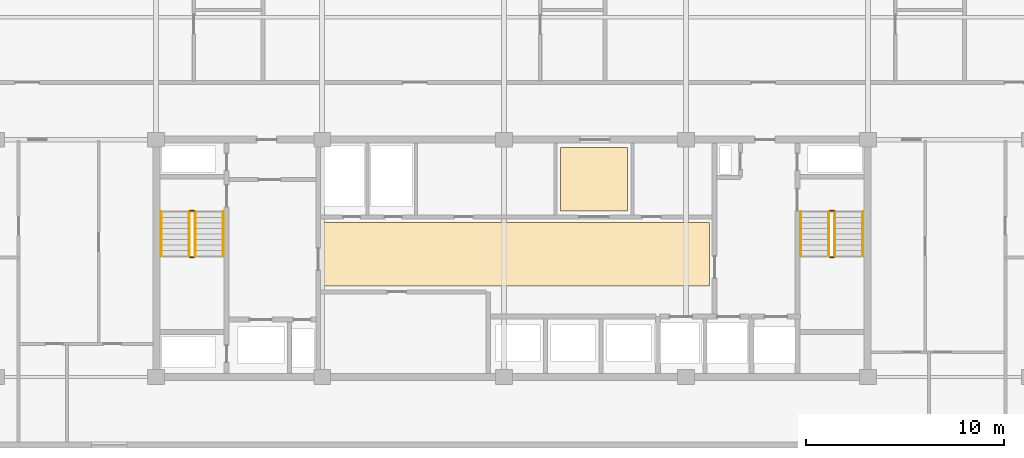
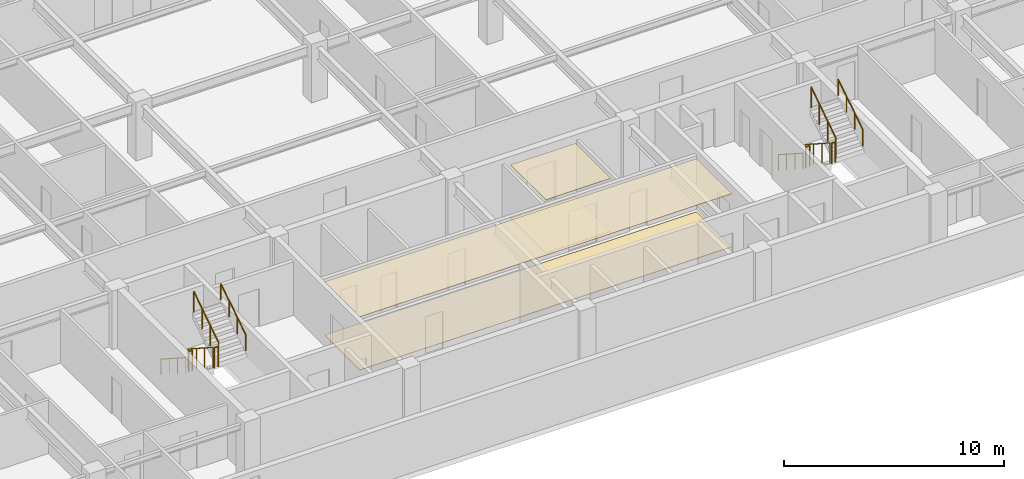
# One storey, part 31 of 32: 12 railings, 4 coverings.
"""IFC4 building model written with IfcOpenShell, lengths in metres."""

from ifc_helpers import new_model, si_unit, direction, frame, origin, origin_2d, place, context, subcontext, project, spatial, polyline, circle, outline, extrude, material, layer, layer_set, type_object, element, save


model = new_model("IFC4")

# Units and contexts
model_context = context("Model", 3, precision=1e-05, world=origin(), true_north=direction((0.0, 1.0)))
body_context = subcontext(model_context, "Body", "Model", "MODEL_VIEW")
ifc_project = project(units=[si_unit("LENGTHUNIT", "METRE"), si_unit("AREAUNIT", "SQUARE_METRE"), si_unit("VOLUMEUNIT", "CUBIC_METRE"), si_unit("PLANEANGLEUNIT", "RADIAN"), si_unit("MASSUNIT", "GRAM", prefix="KILO")], contexts=[model_context])

# Site, building, storey
site_placement = place(None, origin())
site = spatial("IfcSite", under=ifc_project, at=site_placement, CompositionType="ELEMENT")
building_placement = place(site_placement, origin())
building = spatial("IfcBuilding", under=site, at=building_placement, Name="Korimba Cascade Residences", CompositionType="ELEMENT")
storey_placement = place(building_placement, frame((0.0, 0.0, 178.35009765625)))
storey = spatial("IfcBuildingStorey", under=building, at=storey_placement, Name="L51", CompositionType="ELEMENT", Elevation=178.35009765625)

# Coverings
ifc_material_1 = material(Name="Perforated Acoustic Gypsum Ceiling", Category="gypsum")
ifc_layer_1 = layer(ifc_material_1, 0.02490234375)
ifc_layer_set_1 = layer_set([ifc_layer_1], Name="Perforated Acoustic Gypsum Ceiling")
covering_type_1 = type_object("IfcCoveringType", Name="COV-CLG-AC", PredefinedType="CEILING", material=ifc_layer_set_1)
covering_1_placement = place(storey_placement, frame((0.0, 0.0, 2.94482421875)))
element("IfcCovering", 1, at=covering_1_placement, inside=storey, type_object=covering_type_1, Name="L51 Suspended Acoustic Ceiling L51-LL1", PredefinedType="CEILING", context=body_context, shape_type="SweptSolid", body=[
    extrude(outline(polyline([(84.60009765625, 59.800048828125), (104.10009765625, 59.800048828125), (104.10009765625, 63.0), (84.60009765625, 63.0), (84.60009765625, 59.800048828125)])), origin(), (0.0, 0.0, 1.0), 0.025146484375),
])
covering_2_placement = place(storey_placement, frame((0.0, 0.0, 2.94482421875)))
element("IfcCovering", 2, at=covering_2_placement, inside=storey, type_object=covering_type_1, Name="L51 Suspended Acoustic Ceiling L51-LT1", PredefinedType="CEILING", context=body_context, shape_type="SweptSolid", body=[
    extrude(outline(polyline([(96.550048828125, 63.60009765625), (99.949951171875, 63.60009765625), (99.949951171875, 66.800048828125), (96.550048828125, 66.800048828125), (96.550048828125, 63.60009765625)])), origin(), (0.0, 0.0, 1.0), 0.025146484375),
])
ifc_material_2 = material(Name="Honed Travertine Stone Flooring", Category="masonry")
ifc_layer_2 = layer(ifc_material_2, 0.02490234375)
ifc_layer_set_2 = layer_set([ifc_layer_2], Name="Honed Travertine Stone Flooring")
covering_type_2 = type_object("IfcCoveringType", Name="COV-FLR-STN", PredefinedType="FLOORING", material=ifc_layer_set_2)
covering_3_placement = place(storey_placement, origin())
element("IfcCovering", 3, at=covering_3_placement, inside=storey, type_object=covering_type_2, Name="L51 Honed Travertine Stone Flooring L51-LL1", PredefinedType="FLOORING", context=body_context, shape_type="SweptSolid", body=[
    extrude(outline(polyline([(84.60009765625, 59.800048828125), (104.10009765625, 59.800048828125), (104.10009765625, 63.0), (84.60009765625, 63.0), (84.60009765625, 59.800048828125)])), origin(), (0.0, 0.0, 1.0), 0.02490234375),
])
covering_4_placement = place(storey_placement, origin())
element("IfcCovering", 4, at=covering_4_placement, inside=storey, type_object=covering_type_2, Name="L51 Honed Travertine Stone Flooring L51-LT1", PredefinedType="FLOORING", context=body_context, shape_type="SweptSolid", body=[
    extrude(outline(polyline([(96.550048828125, 63.60009765625), (99.949951171875, 63.60009765625), (99.949951171875, 66.800048828125), (96.550048828125, 66.800048828125), (96.550048828125, 63.60009765625)])), origin(), (0.0, 0.0, 1.0), 0.02490234375),
])

# Railings
ifc_material_3 = material(Name="Painted Steel Stairwell Guardrail", Category="steel")
railing_type_1 = type_object("IfcRailingType", Name="RLG-ST-GD1150", PredefinedType="GUARDRAIL", material=ifc_material_3)
railing_1_placement = place(storey_placement, frame((77.77001953125, 63.550048828125, 0.180419921875)))
element("IfcRailing", 5, at=railing_1_placement, inside=storey, type_object=railing_type_1, Name="L51 ST-W1 stair guard 1", PredefinedType="GUARDRAIL", context=body_context, shape_type="SweptSolid", body=[
    extrude(circle(Radius=0.02392578125, at=origin_2d()), frame((0.0, 0.0, 1.1259765625), z_axis=(0.0, -0.840394893359, 0.541974559565), x_axis=(1.0, 0.0, 0.0)), (0.0, 0.0, 1.0), 2.665283203125),
    extrude(circle(Radius=0.02099609375, at=origin_2d()), origin(), (0.0, 0.0, 1.0), 1.101806640625),
    extrude(circle(Radius=0.02099609375, at=origin_2d()), frame((0.0, -0.74658203125, 0.4814453125)), (0.0, 0.0, 1.0), 1.101806640625),
    extrude(circle(Radius=0.02099609375, at=origin_2d()), frame((0.0, -1.493408203125, 0.963134765625)), (0.0, 0.0, 1.0), 1.101806640625),
    extrude(circle(Radius=0.02099609375, at=origin_2d()), frame((0.0, -2.239990234375, 1.444580078125)), (0.0, 0.0, 1.0), 1.101806640625),
])
railing_2_placement = place(storey_placement, frame((77.820068359375, 61.260009765625, 1.625)))
element("IfcRailing", 6, at=railing_2_placement, inside=storey, type_object=railing_type_1, Name="L51 ST-W1 stair guard 2", PredefinedType="GUARDRAIL", context=body_context, shape_type="SweptSolid", body=[
    extrude(circle(Radius=0.02392578125, at=origin_2d()), frame((0.0, 0.0, 1.1259765625), z_axis=(1.0, 0.0, 0.0), x_axis=(0.0, 1.0, 0.0)), (0.0, 0.0, 1.0), 0.199951171875),
    extrude(circle(Radius=0.02099609375, at=origin_2d()), origin(), (0.0, 0.0, 1.0), 1.101806640625),
    extrude(circle(Radius=0.02099609375, at=origin_2d()), frame((0.199951171875, 0.0, 0.0)), (0.0, 0.0, 1.0), 1.101806640625),
])
railing_3_placement = place(storey_placement, frame((78.070068359375, 61.31005859375, 1.805419921875)))
element("IfcRailing", 7, at=railing_3_placement, inside=storey, type_object=railing_type_1, Name="L51 ST-W1 stair guard 3", PredefinedType="GUARDRAIL", context=body_context, shape_type="SweptSolid", body=[
    extrude(circle(Radius=0.02392578125, at=origin_2d()), frame((0.0, 0.0, 1.1259765625), z_axis=(0.0, 0.840394893359, 0.541974559565), x_axis=(-1.0, 0.0, 0.0)), (0.0, 0.0, 1.0), 2.665283203125),
    extrude(circle(Radius=0.02099609375, at=origin_2d()), origin(), (0.0, 0.0, 1.0), 1.101806640625),
    extrude(circle(Radius=0.02099609375, at=origin_2d()), frame((0.0, 0.74658203125, 0.4814453125)), (0.0, 0.0, 1.0), 1.101806640625),
    extrude(circle(Radius=0.02099609375, at=origin_2d()), frame((0.0, 1.493408203125, 0.963134765625)), (0.0, 0.0, 1.0), 1.101806640625),
    extrude(circle(Radius=0.02099609375, at=origin_2d()), frame((0.0, 2.239990234375, 1.444580078125)), (0.0, 0.0, 1.0), 1.101806640625),
])
railing_4_placement = place(storey_placement, frame((77.820068359375, 63.60009765625, 0.0)))
element("IfcRailing", 8, at=railing_4_placement, inside=storey, type_object=railing_type_1, Name="L51 ST-W1 stair guard 4", PredefinedType="GUARDRAIL", context=body_context, shape_type="SweptSolid", body=[
    extrude(circle(Radius=0.02392578125, at=origin_2d()), frame((0.0, 0.0, 1.1259765625), z_axis=(1.0, 0.0, 0.0), x_axis=(0.0, 1.0, 0.0)), (0.0, 0.0, 1.0), 0.199951171875),
    extrude(circle(Radius=0.02099609375, at=origin_2d()), origin(), (0.0, 0.0, 1.0), 1.101806640625),
    extrude(circle(Radius=0.02099609375, at=origin_2d()), frame((0.199951171875, 0.0, 0.0)), (0.0, 0.0, 1.0), 1.101806640625),
])
railing_5_placement = place(storey_placement, frame((110.1298828125, 63.550048828125, 0.180419921875)))
element("IfcRailing", 9, at=railing_5_placement, inside=storey, type_object=railing_type_1, Name="L51 ST-W2 stair guard 1", PredefinedType="GUARDRAIL", context=body_context, shape_type="SweptSolid", body=[
    extrude(circle(Radius=0.02392578125, at=origin_2d()), frame((0.0, 0.0, 1.1259765625), z_axis=(0.0, -0.840394893359, 0.541974559565), x_axis=(1.0, 0.0, 0.0)), (0.0, 0.0, 1.0), 2.665283203125),
    extrude(circle(Radius=0.02099609375, at=origin_2d()), origin(), (0.0, 0.0, 1.0), 1.101806640625),
    extrude(circle(Radius=0.02099609375, at=origin_2d()), frame((0.0, -0.74658203125, 0.4814453125)), (0.0, 0.0, 1.0), 1.101806640625),
    extrude(circle(Radius=0.02099609375, at=origin_2d()), frame((0.0, -1.493408203125, 0.963134765625)), (0.0, 0.0, 1.0), 1.101806640625),
    extrude(circle(Radius=0.02099609375, at=origin_2d()), frame((0.0, -2.239990234375, 1.444580078125)), (0.0, 0.0, 1.0), 1.101806640625),
])
railing_6_placement = place(storey_placement, frame((110.179931640625, 61.260009765625, 1.625)))
element("IfcRailing", 10, at=railing_6_placement, inside=storey, type_object=railing_type_1, Name="L51 ST-W2 stair guard 2", PredefinedType="GUARDRAIL", context=body_context, shape_type="SweptSolid", body=[
    extrude(circle(Radius=0.02392578125, at=origin_2d()), frame((0.0, 0.0, 1.1259765625), z_axis=(1.0, 0.0, 0.0), x_axis=(0.0, 1.0, 0.0)), (0.0, 0.0, 1.0), 0.199951171875),
    extrude(circle(Radius=0.02099609375, at=origin_2d()), origin(), (0.0, 0.0, 1.0), 1.101806640625),
    extrude(circle(Radius=0.02099609375, at=origin_2d()), frame((0.199951171875, 0.0, 0.0)), (0.0, 0.0, 1.0), 1.101806640625),
])
railing_7_placement = place(storey_placement, frame((110.429931640625, 61.31005859375, 1.805419921875)))
element("IfcRailing", 11, at=railing_7_placement, inside=storey, type_object=railing_type_1, Name="L51 ST-W2 stair guard 3", PredefinedType="GUARDRAIL", context=body_context, shape_type="SweptSolid", body=[
    extrude(circle(Radius=0.02392578125, at=origin_2d()), frame((0.0, 0.0, 1.1259765625), z_axis=(0.0, 0.840394893359, 0.541974559565), x_axis=(-1.0, 0.0, 0.0)), (0.0, 0.0, 1.0), 2.665283203125),
    extrude(circle(Radius=0.02099609375, at=origin_2d()), origin(), (0.0, 0.0, 1.0), 1.101806640625),
    extrude(circle(Radius=0.02099609375, at=origin_2d()), frame((0.0, 0.74658203125, 0.4814453125)), (0.0, 0.0, 1.0), 1.101806640625),
    extrude(circle(Radius=0.02099609375, at=origin_2d()), frame((0.0, 1.493408203125, 0.963134765625)), (0.0, 0.0, 1.0), 1.101806640625),
    extrude(circle(Radius=0.02099609375, at=origin_2d()), frame((0.0, 2.239990234375, 1.444580078125)), (0.0, 0.0, 1.0), 1.101806640625),
])
railing_8_placement = place(storey_placement, frame((110.179931640625, 63.60009765625, 0.0)))
element("IfcRailing", 12, at=railing_8_placement, inside=storey, type_object=railing_type_1, Name="L51 ST-W2 stair guard 4", PredefinedType="GUARDRAIL", context=body_context, shape_type="SweptSolid", body=[
    extrude(circle(Radius=0.02392578125, at=origin_2d()), frame((0.0, 0.0, 1.1259765625), z_axis=(1.0, 0.0, 0.0), x_axis=(0.0, 1.0, 0.0)), (0.0, 0.0, 1.0), 0.199951171875),
    extrude(circle(Radius=0.02099609375, at=origin_2d()), origin(), (0.0, 0.0, 1.0), 1.101806640625),
    extrude(circle(Radius=0.02099609375, at=origin_2d()), frame((0.199951171875, 0.0, 0.0)), (0.0, 0.0, 1.0), 1.101806640625),
])
ifc_material_4 = material(Name="Brushed Stainless Steel Handrail", Category="steel")
railing_type_2 = type_object("IfcRailingType", Name="RLG-ST-HR900", PredefinedType="HANDRAIL", material=ifc_material_4)
railing_9_placement = place(storey_placement, frame((76.35009765625, 63.550048828125, 0.36474609375)))
element("IfcRailing", 13, at=railing_9_placement, inside=storey, type_object=railing_type_2, Name="L51 ST-W1 stair handrail 1", PredefinedType="HANDRAIL", context=body_context, shape_type="SweptSolid", body=[
    extrude(circle(Radius=0.02392578125, at=origin_2d()), frame((0.0, 0.0, 0.8759765625), z_axis=(0.0, -0.840394893359, 0.541974559565), x_axis=(1.0, 0.0, 0.0)), (0.0, 0.0, 1.0), 2.665283203125),
    extrude(circle(Radius=0.02099609375, at=origin_2d()), origin(), (0.0, 0.0, 1.0), 0.851806640625),
    extrude(circle(Radius=0.02099609375, at=origin_2d()), frame((0.0, -0.74658203125, 0.4814453125)), (0.0, 0.0, 1.0), 0.851806640625),
    extrude(circle(Radius=0.02099609375, at=origin_2d()), frame((0.0, -1.493408203125, 0.963134765625)), (0.0, 0.0, 1.0), 0.851806640625),
    extrude(circle(Radius=0.02099609375, at=origin_2d()), frame((0.0, -2.239990234375, 1.444580078125)), (0.0, 0.0, 1.0), 0.851806640625),
])
railing_10_placement = place(storey_placement, frame((79.489990234375, 61.31005859375, 1.98974609375)))
element("IfcRailing", 14, at=railing_10_placement, inside=storey, type_object=railing_type_2, Name="L51 ST-W1 stair handrail 2", PredefinedType="HANDRAIL", context=body_context, shape_type="SweptSolid", body=[
    extrude(circle(Radius=0.02392578125, at=origin_2d()), frame((0.0, 0.0, 0.8759765625), z_axis=(0.0, 0.840394893359, 0.541974559565), x_axis=(-1.0, 0.0, 0.0)), (0.0, 0.0, 1.0), 2.665283203125),
    extrude(circle(Radius=0.02099609375, at=origin_2d()), origin(), (0.0, 0.0, 1.0), 0.851806640625),
    extrude(circle(Radius=0.02099609375, at=origin_2d()), frame((0.0, 0.74658203125, 0.4814453125)), (0.0, 0.0, 1.0), 0.851806640625),
    extrude(circle(Radius=0.02099609375, at=origin_2d()), frame((0.0, 1.493408203125, 0.963134765625)), (0.0, 0.0, 1.0), 0.851806640625),
    extrude(circle(Radius=0.02099609375, at=origin_2d()), frame((0.0, 2.239990234375, 1.444580078125)), (0.0, 0.0, 1.0), 0.851806640625),
])
railing_11_placement = place(storey_placement, frame((108.7099609375, 63.550048828125, 0.36474609375)))
element("IfcRailing", 15, at=railing_11_placement, inside=storey, type_object=railing_type_2, Name="L51 ST-W2 stair handrail 1", PredefinedType="HANDRAIL", context=body_context, shape_type="SweptSolid", body=[
    extrude(circle(Radius=0.02392578125, at=origin_2d()), frame((0.0, 0.0, 0.8759765625), z_axis=(0.0, -0.840394893359, 0.541974559565), x_axis=(1.0, 0.0, 0.0)), (0.0, 0.0, 1.0), 2.665283203125),
    extrude(circle(Radius=0.02099609375, at=origin_2d()), origin(), (0.0, 0.0, 1.0), 0.851806640625),
    extrude(circle(Radius=0.02099609375, at=origin_2d()), frame((0.0, -0.74658203125, 0.4814453125)), (0.0, 0.0, 1.0), 0.851806640625),
    extrude(circle(Radius=0.02099609375, at=origin_2d()), frame((0.0, -1.493408203125, 0.963134765625)), (0.0, 0.0, 1.0), 0.851806640625),
    extrude(circle(Radius=0.02099609375, at=origin_2d()), frame((0.0, -2.239990234375, 1.444580078125)), (0.0, 0.0, 1.0), 0.851806640625),
])
railing_12_placement = place(storey_placement, frame((111.85009765625, 61.31005859375, 1.98974609375)))
element("IfcRailing", 16, at=railing_12_placement, inside=storey, type_object=railing_type_2, Name="L51 ST-W2 stair handrail 2", PredefinedType="HANDRAIL", context=body_context, shape_type="SweptSolid", body=[
    extrude(circle(Radius=0.02392578125, at=origin_2d()), frame((0.0, 0.0, 0.8759765625), z_axis=(0.0, 0.840394893359, 0.541974559565), x_axis=(-1.0, 0.0, 0.0)), (0.0, 0.0, 1.0), 2.665283203125),
    extrude(circle(Radius=0.02099609375, at=origin_2d()), origin(), (0.0, 0.0, 1.0), 0.851806640625),
    extrude(circle(Radius=0.02099609375, at=origin_2d()), frame((0.0, 0.74658203125, 0.4814453125)), (0.0, 0.0, 1.0), 0.851806640625),
    extrude(circle(Radius=0.02099609375, at=origin_2d()), frame((0.0, 1.493408203125, 0.963134765625)), (0.0, 0.0, 1.0), 0.851806640625),
    extrude(circle(Radius=0.02099609375, at=origin_2d()), frame((0.0, 2.239990234375, 1.444580078125)), (0.0, 0.0, 1.0), 0.851806640625),
])

save(model, "model.ifc")
